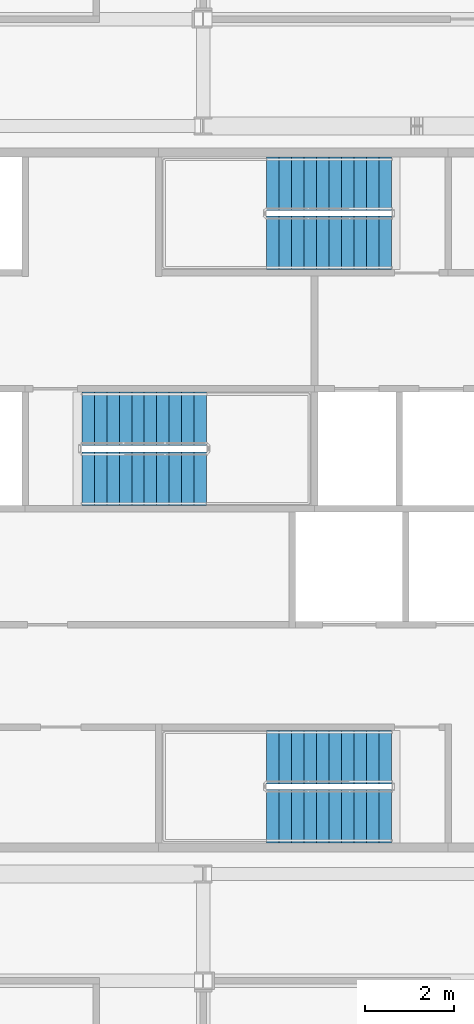
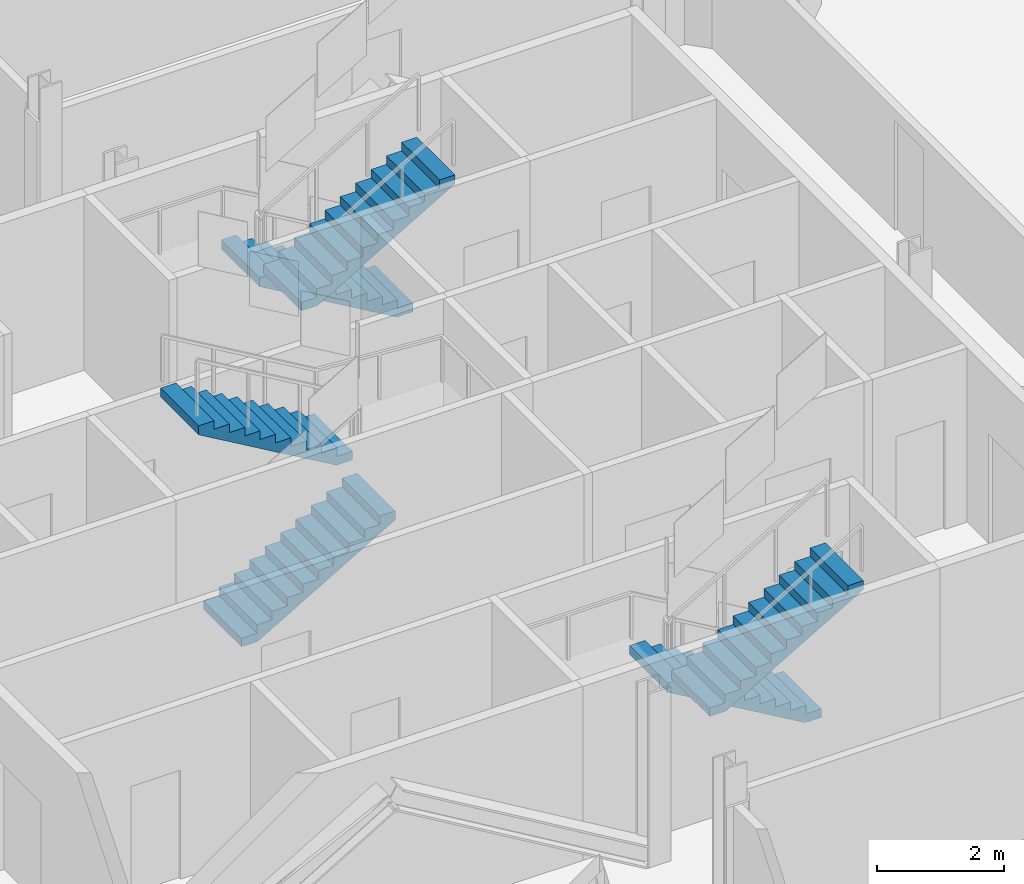
# One storey, part 13 of 19: 6 stair flights, 3 elements without a shape of their own.
"""IFC4 building model written with IfcOpenShell, lengths in metres."""

from ifc_helpers import new_model, si_unit, direction, frame, origin, place, context, subcontext, project, spatial, polyline, outline, extrude, material, type_object, element, aggregate, save


model = new_model("IFC4")

# Units and contexts
model_context = context("Model", 3, precision=1e-05, world=origin(), true_north=direction((0.0, 1.0)))
body_context = subcontext(model_context, "Body", "Model", "MODEL_VIEW")
ifc_project = project(units=[si_unit("LENGTHUNIT", "METRE"), si_unit("AREAUNIT", "SQUARE_METRE"), si_unit("VOLUMEUNIT", "CUBIC_METRE"), si_unit("PLANEANGLEUNIT", "RADIAN"), si_unit("MASSUNIT", "GRAM", prefix="KILO")], contexts=[model_context])

# Site, building, storey
site_placement = place(None, origin())
site = spatial("IfcSite", under=ifc_project, at=site_placement, CompositionType="ELEMENT")
building_placement = place(site_placement, origin())
building = spatial("IfcBuilding", under=site, at=building_placement, Name="Cairn Pilgrim Tower", CompositionType="ELEMENT")
storey_placement = place(building_placement, frame((0.0, 0.0, 201.0)))
storey = spatial("IfcBuildingStorey", under=building, at=storey_placement, Name="L51", CompositionType="ELEMENT", Elevation=201.0)

# Stair, stair flights
ifc_material = material(Name="Concrete C32/40", Category="concrete")
stair_type = type_object("IfcStairType", Name="EXIT STAIR 1200", PredefinedType="HALF_TURN_STAIR", material=ifc_material)
stair_1_placement = place(storey_placement, origin())
stair_1 = element("IfcStair", 1, at=stair_1_placement, inside=storey, type_object=stair_type, Name="L51 Exit Stair A", PredefinedType="HALF_TURN_STAIR")
stair_flight_type = type_object("IfcStairFlightType", Name="STAIR FLIGHT 1200", PredefinedType="STRAIGHT", material=ifc_material)
stair_flight_1_placement = place(storey_placement, frame((11.425048828125, -3.375, 0.0), z_axis=(0.0, 0.0, 1.0), x_axis=(-1.0, 0.0, 0.0)))
stair_flight_1 = element("IfcStairFlight", 2, at=stair_flight_1_placement, type_object=stair_flight_type, Name="ST-A flight 1", NumberOfRisers=11, NumberOfTreads=10, PredefinedType="STRAIGHT", RiserHeight=0.163636364, TreadLength=0.28, context=body_context, shape_type="SweptSolid", body=[
    extrude(outline(polyline([(0.0, 0.0), (0.0, 0.16357421875), (0.280029296875, 0.16357421875), (0.280029296875, 0.327392578125), (0.56005859375, 0.327392578125), (0.56005859375, 0.490966796875), (0.840087890625, 0.490966796875), (0.840087890625, 0.654541015625), (1.1201171875, 0.654541015625), (1.1201171875, 0.818115234375), (1.39990234375, 0.818115234375), (1.39990234375, 0.98193359375), (1.679931640625, 0.98193359375), (1.679931640625, 1.1455078125), (1.9599609375, 1.1455078125), (1.9599609375, 1.30908203125), (2.239990234375, 1.30908203125), (2.239990234375, 1.47265625), (2.52001953125, 1.47265625), (2.52001953125, 1.636474609375), (2.800048828125, 1.636474609375), (2.800048828125, 1.800048828125), (2.800048828125, 1.462646484375), (0.297119140625, 0.0), (0.0, 0.0)])), frame((0.0, 0.60009765625, 0.0), z_axis=(0.0, -1.0, 0.0), x_axis=(1.0, 0.0, 0.0)), (0.0, 0.0, 1.0), 1.199951171875),
])
stair_flight_2_placement = place(storey_placement, frame((8.625, -4.699951171875, 1.800048828125), z_axis=(0.0, 0.0, 1.0), x_axis=(1.0, 0.0, 0.0)))
stair_flight_2 = element("IfcStairFlight", 3, at=stair_flight_2_placement, type_object=stair_flight_type, Name="ST-A flight 2", NumberOfRisers=11, NumberOfTreads=10, PredefinedType="STRAIGHT", RiserHeight=0.163636364, TreadLength=0.28, context=body_context, shape_type="SweptSolid", body=[
    extrude(outline(polyline([(0.0, 0.0), (0.0, 0.16357421875), (0.280029296875, 0.16357421875), (0.280029296875, 0.327392578125), (0.56005859375, 0.327392578125), (0.56005859375, 0.490966796875), (0.840087890625, 0.490966796875), (0.840087890625, 0.654541015625), (1.1201171875, 0.654541015625), (1.1201171875, 0.818115234375), (1.39990234375, 0.818115234375), (1.39990234375, 0.98193359375), (1.679931640625, 0.98193359375), (1.679931640625, 1.1455078125), (1.9599609375, 1.1455078125), (1.9599609375, 1.30908203125), (2.239990234375, 1.30908203125), (2.239990234375, 1.47265625), (2.52001953125, 1.47265625), (2.52001953125, 1.636474609375), (2.800048828125, 1.636474609375), (2.800048828125, 1.800048828125), (2.800048828125, 1.462646484375), (0.297119140625, 0.0), (0.0, 0.0)])), frame((0.0, 0.60009765625, 0.0), z_axis=(0.0, -1.0, 0.0), x_axis=(1.0, 0.0, 0.0)), (0.0, 0.0, 1.0), 1.199951171875),
])
aggregate(stair_1, [stair_flight_1, stair_flight_2])

stair_2_placement = place(storey_placement, origin())
stair_2 = element("IfcStair", 4, at=stair_2_placement, inside=storey, type_object=stair_type, Name="L51 Exit Stair B", PredefinedType="HALF_TURN_STAIR")
stair_flight_3_placement = place(storey_placement, frame((4.47509765625, 2.875, 0.0), z_axis=(0.0, 0.0, 1.0), x_axis=(1.0, 0.0, 0.0)))
stair_flight_3 = element("IfcStairFlight", 5, at=stair_flight_3_placement, type_object=stair_flight_type, Name="ST-B flight 1", NumberOfRisers=11, NumberOfTreads=10, PredefinedType="STRAIGHT", RiserHeight=0.163636364, TreadLength=0.28, context=body_context, shape_type="SweptSolid", body=[
    extrude(outline(polyline([(0.0, 0.0), (0.0, 0.16357421875), (0.280029296875, 0.16357421875), (0.280029296875, 0.327392578125), (0.56005859375, 0.327392578125), (0.56005859375, 0.490966796875), (0.840087890625, 0.490966796875), (0.840087890625, 0.654541015625), (1.1201171875, 0.654541015625), (1.1201171875, 0.818115234375), (1.39990234375, 0.818115234375), (1.39990234375, 0.98193359375), (1.679931640625, 0.98193359375), (1.679931640625, 1.1455078125), (1.9599609375, 1.1455078125), (1.9599609375, 1.30908203125), (2.239990234375, 1.30908203125), (2.239990234375, 1.47265625), (2.52001953125, 1.47265625), (2.52001953125, 1.636474609375), (2.800048828125, 1.636474609375), (2.800048828125, 1.800048828125), (2.800048828125, 1.462646484375), (0.297119140625, 0.0), (0.0, 0.0)])), frame((0.0, 0.60009765625, 0.0), z_axis=(0.0, -1.0, 0.0), x_axis=(1.0, 0.0, 0.0)), (0.0, 0.0, 1.0), 1.199951171875),
])
stair_flight_4_placement = place(storey_placement, frame((7.27490234375, 4.22509765625, 1.800048828125), z_axis=(0.0, 0.0, 1.0), x_axis=(-1.0, 0.0, 0.0)))
stair_flight_4 = element("IfcStairFlight", 6, at=stair_flight_4_placement, type_object=stair_flight_type, Name="ST-B flight 2", NumberOfRisers=11, NumberOfTreads=10, PredefinedType="STRAIGHT", RiserHeight=0.163636364, TreadLength=0.28, context=body_context, shape_type="SweptSolid", body=[
    extrude(outline(polyline([(0.0, 0.0), (0.0, 0.16357421875), (0.280029296875, 0.16357421875), (0.280029296875, 0.327392578125), (0.56005859375, 0.327392578125), (0.56005859375, 0.490966796875), (0.840087890625, 0.490966796875), (0.840087890625, 0.654541015625), (1.1201171875, 0.654541015625), (1.1201171875, 0.818115234375), (1.39990234375, 0.818115234375), (1.39990234375, 0.98193359375), (1.679931640625, 0.98193359375), (1.679931640625, 1.1455078125), (1.9599609375, 1.1455078125), (1.9599609375, 1.30908203125), (2.239990234375, 1.30908203125), (2.239990234375, 1.47265625), (2.52001953125, 1.47265625), (2.52001953125, 1.636474609375), (2.800048828125, 1.636474609375), (2.800048828125, 1.800048828125), (2.800048828125, 1.462646484375), (0.297119140625, 0.0), (0.0, 0.0)])), frame((0.0, 0.60009765625, 0.0), z_axis=(0.0, -1.0, 0.0), x_axis=(1.0, 0.0, 0.0)), (0.0, 0.0, 1.0), 1.199951171875),
])
aggregate(stair_2, [stair_flight_3, stair_flight_4])

stair_3_placement = place(storey_placement, origin())
stair_3 = element("IfcStair", 7, at=stair_3_placement, inside=storey, type_object=stair_type, Name="L51 Exit Stair C", PredefinedType="HALF_TURN_STAIR")
stair_flight_5_placement = place(storey_placement, frame((11.425048828125, 9.5, 0.0), z_axis=(0.0, 0.0, 1.0), x_axis=(-1.0, 0.0, 0.0)))
stair_flight_5 = element("IfcStairFlight", 8, at=stair_flight_5_placement, type_object=stair_flight_type, Name="ST-C flight 1", NumberOfRisers=11, NumberOfTreads=10, PredefinedType="STRAIGHT", RiserHeight=0.163636364, TreadLength=0.28, context=body_context, shape_type="SweptSolid", body=[
    extrude(outline(polyline([(0.0, 0.0), (0.0, 0.16357421875), (0.280029296875, 0.16357421875), (0.280029296875, 0.327392578125), (0.56005859375, 0.327392578125), (0.56005859375, 0.490966796875), (0.840087890625, 0.490966796875), (0.840087890625, 0.654541015625), (1.1201171875, 0.654541015625), (1.1201171875, 0.818115234375), (1.39990234375, 0.818115234375), (1.39990234375, 0.98193359375), (1.679931640625, 0.98193359375), (1.679931640625, 1.1455078125), (1.9599609375, 1.1455078125), (1.9599609375, 1.30908203125), (2.239990234375, 1.30908203125), (2.239990234375, 1.47265625), (2.52001953125, 1.47265625), (2.52001953125, 1.636474609375), (2.800048828125, 1.636474609375), (2.800048828125, 1.800048828125), (2.800048828125, 1.462646484375), (0.297119140625, 0.0), (0.0, 0.0)])), frame((0.0, 0.60009765625, 0.0), z_axis=(0.0, -1.0, 0.0), x_axis=(1.0, 0.0, 0.0)), (0.0, 0.0, 1.0), 1.199951171875),
])
stair_flight_6_placement = place(storey_placement, frame((8.625, 8.175048828125, 1.800048828125), z_axis=(0.0, 0.0, 1.0), x_axis=(1.0, 0.0, 0.0)))
stair_flight_6 = element("IfcStairFlight", 9, at=stair_flight_6_placement, type_object=stair_flight_type, Name="ST-C flight 2", NumberOfRisers=11, NumberOfTreads=10, PredefinedType="STRAIGHT", RiserHeight=0.163636364, TreadLength=0.28, context=body_context, shape_type="SweptSolid", body=[
    extrude(outline(polyline([(0.0, 0.0), (0.0, 0.16357421875), (0.280029296875, 0.16357421875), (0.280029296875, 0.327392578125), (0.56005859375, 0.327392578125), (0.56005859375, 0.490966796875), (0.840087890625, 0.490966796875), (0.840087890625, 0.654541015625), (1.1201171875, 0.654541015625), (1.1201171875, 0.818115234375), (1.39990234375, 0.818115234375), (1.39990234375, 0.98193359375), (1.679931640625, 0.98193359375), (1.679931640625, 1.1455078125), (1.9599609375, 1.1455078125), (1.9599609375, 1.30908203125), (2.239990234375, 1.30908203125), (2.239990234375, 1.47265625), (2.52001953125, 1.47265625), (2.52001953125, 1.636474609375), (2.800048828125, 1.636474609375), (2.800048828125, 1.800048828125), (2.800048828125, 1.462646484375), (0.297119140625, 0.0), (0.0, 0.0)])), frame((0.0, 0.60009765625, 0.0), z_axis=(0.0, -1.0, 0.0), x_axis=(1.0, 0.0, 0.0)), (0.0, 0.0, 1.0), 1.199951171875),
])
aggregate(stair_3, [stair_flight_5, stair_flight_6])

save(model, "model.ifc")
